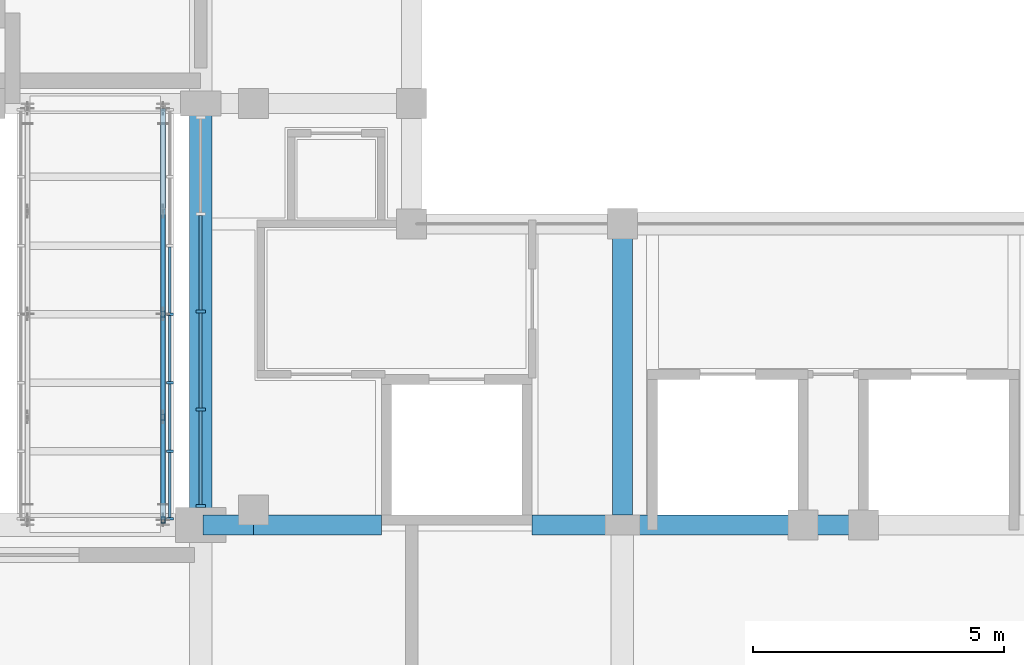
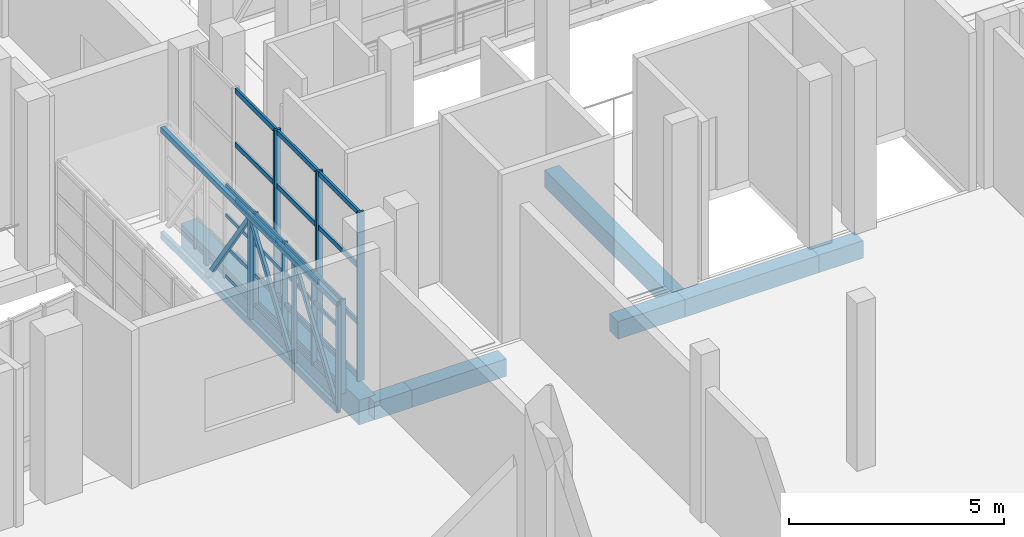
# One storey, part 8 of 86: 43 members, 7 beams, 2 elements without a shape of their own.
"""IFC4 building model written with IfcOpenShell, lengths in metres."""

from ifc_helpers import new_model, si_unit, direction, frame, origin, origin_2d, place, context, subcontext, project, spatial, rectangle, hollow_rectangle, extrude, material, layer, layer_set, material_profile, profile_set, type_object, element, aggregate, save


model = new_model("IFC4")

# Units and contexts
model_context = context("Model", 3, precision=1e-05, world=origin(), true_north=direction((0.0, 1.0)))
body_context = subcontext(model_context, "Body", "Model", "MODEL_VIEW")
ifc_project = project(units=[si_unit("LENGTHUNIT", "METRE"), si_unit("AREAUNIT", "SQUARE_METRE"), si_unit("VOLUMEUNIT", "CUBIC_METRE"), si_unit("PLANEANGLEUNIT", "RADIAN"), si_unit("MASSUNIT", "GRAM", prefix="KILO")], contexts=[model_context])

# Site, building, storey
site_placement = place(None, origin())
site = spatial("IfcSite", under=ifc_project, at=site_placement, CompositionType="ELEMENT")
building_placement = place(site_placement, origin())
building = spatial("IfcBuilding", under=site, at=building_placement, Name="Kiln Court Media Centre", CompositionType="ELEMENT")
storey_placement = place(building_placement, frame((0.0, 0.0, 10.199951171875)))
storey = spatial("IfcBuildingStorey", under=building, at=storey_placement, Name="L02", CompositionType="ELEMENT", Elevation=10.199951171875)

# Curtain wall, members
ifc_material_1 = material(Name="Aluminium 6063-T6", Category="aluminium")
ifc_layer_1 = layer(ifc_material_1, 0.1201171875)
ifc_layer_set_1 = layer_set([ifc_layer_1], Name="Aluminium unitised curtain wall, bridge")
curtain_wall_type_1 = type_object("IfcCurtainWallType", Name="Aluminium unitised curtain wall, bridge", PredefinedType="USERDEFINED", material=ifc_layer_set_1)
curtain_wall_1_placement = place(storey_placement, origin())
curtain_wall_1 = element("IfcCurtainWall", 1, at=curtain_wall_1_placement, inside=storey, type_object=curtain_wall_type_1, Name="BR-1 side glazing", ObjectType="UNITISED CURTAIN WALL", PredefinedType="USERDEFINED")
ifc_material_2 = material(Name="Aluminium 6063-T6", Category="aluminium")
ifc_material_profile_1 = material_profile(ifc_material_2, rectangle(XDim=0.050048828125, YDim=0.139892578125, at=origin_2d()), Name="Aluminium hall mullion 50x140")
ifc_profile_set_1 = profile_set([ifc_material_profile_1], Name="Aluminium 6063-T6")
member_type_1 = type_object("IfcMemberType", Name="Aluminium hall mullion 50x140", PredefinedType="MULLION", material=ifc_profile_set_1)
member_1_placement = place(storey_placement, frame((32.985107421875, 25.324951171875, 0.0), z_axis=(0.0, 0.0, 1.0), x_axis=(0.0, 1.0, 0.0)))
member_1 = element("IfcMember", 2, at=member_1_placement, type_object=member_type_1, Name="CW2-64 mullion 1", PredefinedType="MULLION", context=body_context, shape_type="SweptSolid", body=[
    extrude(rectangle(XDim=0.050048828125, YDim=0.139892578125, at=origin_2d()), origin(), (0.0, 0.0, 1.0), 2.675048828125),
])
member_2_placement = place(storey_placement, frame((32.985107421875, 26.666748046875, 0.0), z_axis=(0.0, 0.0, 1.0), x_axis=(0.0, 1.0, 0.0)))
member_2 = element("IfcMember", 3, at=member_2_placement, type_object=member_type_1, Name="CW2-64 mullion 2", PredefinedType="MULLION", context=body_context, shape_type="SweptSolid", body=[
    extrude(rectangle(XDim=0.050048828125, YDim=0.139892578125, at=origin_2d()), origin(), (0.0, 0.0, 1.0), 2.675048828125),
])
member_3_placement = place(storey_placement, frame((32.985107421875, 28.033447265625, 0.0), z_axis=(0.0, 0.0, 1.0), x_axis=(0.0, 1.0, 0.0)))
member_3 = element("IfcMember", 4, at=member_3_placement, type_object=member_type_1, Name="CW2-64 mullion 3", PredefinedType="MULLION", context=body_context, shape_type="SweptSolid", body=[
    extrude(rectangle(XDim=0.050048828125, YDim=0.139892578125, at=origin_2d()), origin(), (0.0, 0.0, 1.0), 2.675048828125),
])
member_4_placement = place(storey_placement, frame((32.985107421875, 29.39990234375, 0.0), z_axis=(0.0, 0.0, 1.0), x_axis=(0.0, 1.0, 0.0)))
member_4 = element("IfcMember", 5, at=member_4_placement, type_object=member_type_1, Name="CW2-64 mullion 4", PredefinedType="MULLION", context=body_context, shape_type="SweptSolid", body=[
    extrude(rectangle(XDim=0.050048828125, YDim=0.139892578125, at=origin_2d()), origin(), (0.0, 0.0, 1.0), 2.675048828125),
])

ifc_material_3 = material(Name="Aluminium 6063-T6", Category="aluminium")
ifc_layer_2 = layer(ifc_material_3, 0.1201171875)
ifc_layer_set_2 = layer_set([ifc_layer_2], Name="Aluminium stick curtain wall, gallery")
curtain_wall_type_2 = type_object("IfcCurtainWallType", Name="Aluminium stick curtain wall, gallery", PredefinedType="USERDEFINED", material=ifc_layer_set_2)
curtain_wall_2_placement = place(storey_placement, origin())
curtain_wall_2 = element("IfcCurtainWall", 6, at=curtain_wall_2_placement, inside=storey, type_object=curtain_wall_type_2, Name="Foyer west glazing L02", ObjectType="STICK CURTAIN WALL", PredefinedType="USERDEFINED")
ifc_material_4 = material(Name="Aluminium 6063-T6", Category="aluminium")
ifc_material_profile_2 = material_profile(ifc_material_4, rectangle(XDim=0.06005859375, YDim=0.179931640625, at=origin_2d()), Name="Aluminium hall mullion 60x180")
ifc_profile_set_2 = profile_set([ifc_material_profile_2], Name="Aluminium 6063-T6")
member_type_2 = type_object("IfcMemberType", Name="Aluminium hall mullion 60x180", PredefinedType="MULLION", material=ifc_profile_set_2)
member_5_placement = place(storey_placement, frame((33.60009765625, 25.580078125, 0.0), z_axis=(0.0, 0.0, 1.0), x_axis=(0.0, 1.0, 0.0)))
member_5 = element("IfcMember", 7, at=member_5_placement, type_object=member_type_2, Name="CW2-62 mullion 1", PredefinedType="MULLION", context=body_context, shape_type="SweptSolid", body=[
    extrude(rectangle(XDim=0.06005859375, YDim=0.179931640625, at=origin_2d()), origin(), (0.0, 0.0, 1.0), 4.800048828125),
])
member_6_placement = place(storey_placement, frame((33.60009765625, 27.5, 0.0), z_axis=(0.0, 0.0, 1.0), x_axis=(0.0, 1.0, 0.0)))
member_6 = element("IfcMember", 8, at=member_6_placement, type_object=member_type_2, Name="CW2-62 mullion 2", PredefinedType="MULLION", context=body_context, shape_type="SweptSolid", body=[
    extrude(rectangle(XDim=0.06005859375, YDim=0.179931640625, at=origin_2d()), origin(), (0.0, 0.0, 1.0), 4.800048828125),
])
member_7_placement = place(storey_placement, frame((33.60009765625, 29.449951171875, 0.0), z_axis=(0.0, 0.0, 1.0), x_axis=(0.0, 1.0, 0.0)))
member_7 = element("IfcMember", 9, at=member_7_placement, type_object=member_type_2, Name="CW2-62 mullion 3", PredefinedType="MULLION", context=body_context, shape_type="SweptSolid", body=[
    extrude(rectangle(XDim=0.06005859375, YDim=0.179931640625, at=origin_2d()), origin(), (0.0, 0.0, 1.0), 4.800048828125),
])

# Member
ifc_material_5 = material(Name="Aluminium 6063-T6", Category="aluminium")
ifc_material_profile_3 = material_profile(ifc_material_5, rectangle(XDim=0.050048828125, YDim=0.10009765625, at=origin_2d()), Name="Aluminium hall transom 50x100")
ifc_profile_set_3 = profile_set([ifc_material_profile_3], Name="Aluminium 6063-T6")
member_type_3 = type_object("IfcMemberType", Name="Aluminium hall transom 50x100", PredefinedType="USERDEFINED", material=ifc_profile_set_3)
member_8_placement = place(storey_placement, frame((32.985107421875, 25.35009765625, 0.050048828125), z_axis=(0.0, 1.0, 0.0), x_axis=(-1.0, 0.0, 0.0)))
member_8 = element("IfcMember", 10, at=member_8_placement, type_object=member_type_3, Name="CW2-64 transom 1.1", ObjectType="TRANSOM", PredefinedType="USERDEFINED", context=body_context, shape_type="SweptSolid", body=[
    extrude(rectangle(XDim=0.050048828125, YDim=0.10009765625, at=origin_2d()), origin(), (0.0, 0.0, 1.0), 1.29150390625),
])

member_9_placement = place(storey_placement, frame((32.985107421875, 25.35009765625, 0.891845703125), z_axis=(0.0, 1.0, 0.0), x_axis=(-1.0, 0.0, 0.0)))
member_9 = element("IfcMember", 11, at=member_9_placement, type_object=member_type_3, Name="CW2-64 transom 1.2", ObjectType="TRANSOM", PredefinedType="USERDEFINED", context=body_context, shape_type="SweptSolid", body=[
    extrude(rectangle(XDim=0.050048828125, YDim=0.10009765625, at=origin_2d()), origin(), (0.0, 0.0, 1.0), 1.29150390625),
])

member_10_placement = place(storey_placement, frame((32.985107421875, 25.35009765625, 1.783447265625), z_axis=(0.0, 1.0, 0.0), x_axis=(-1.0, 0.0, 0.0)))
member_10 = element("IfcMember", 12, at=member_10_placement, type_object=member_type_3, Name="CW2-64 transom 1.3", ObjectType="TRANSOM", PredefinedType="USERDEFINED", context=body_context, shape_type="SweptSolid", body=[
    extrude(rectangle(XDim=0.050048828125, YDim=0.10009765625, at=origin_2d()), origin(), (0.0, 0.0, 1.0), 1.29150390625),
])

member_11_placement = place(storey_placement, frame((32.985107421875, 25.35009765625, 2.625), z_axis=(0.0, 1.0, 0.0), x_axis=(-1.0, 0.0, 0.0)))
member_11 = element("IfcMember", 13, at=member_11_placement, type_object=member_type_3, Name="CW2-64 transom 1.4", ObjectType="TRANSOM", PredefinedType="USERDEFINED", context=body_context, shape_type="SweptSolid", body=[
    extrude(rectangle(XDim=0.050048828125, YDim=0.10009765625, at=origin_2d()), origin(), (0.0, 0.0, 1.0), 1.29150390625),
])

member_12_placement = place(storey_placement, frame((32.985107421875, 26.691650390625, 0.050048828125), z_axis=(0.0, 1.0, 0.0), x_axis=(-1.0, 0.0, 0.0)))
member_12 = element("IfcMember", 14, at=member_12_placement, type_object=member_type_3, Name="CW2-64 transom 2.1", ObjectType="TRANSOM", PredefinedType="USERDEFINED", context=body_context, shape_type="SweptSolid", body=[
    extrude(rectangle(XDim=0.050048828125, YDim=0.10009765625, at=origin_2d()), origin(), (0.0, 0.0, 1.0), 1.316650390625),
])

member_13_placement = place(storey_placement, frame((32.985107421875, 26.691650390625, 0.891845703125), z_axis=(0.0, 1.0, 0.0), x_axis=(-1.0, 0.0, 0.0)))
member_13 = element("IfcMember", 15, at=member_13_placement, type_object=member_type_3, Name="CW2-64 transom 2.2", ObjectType="TRANSOM", PredefinedType="USERDEFINED", context=body_context, shape_type="SweptSolid", body=[
    extrude(rectangle(XDim=0.050048828125, YDim=0.10009765625, at=origin_2d()), origin(), (0.0, 0.0, 1.0), 1.316650390625),
])

member_14_placement = place(storey_placement, frame((32.985107421875, 26.691650390625, 1.783447265625), z_axis=(0.0, 1.0, 0.0), x_axis=(-1.0, 0.0, 0.0)))
member_14 = element("IfcMember", 16, at=member_14_placement, type_object=member_type_3, Name="CW2-64 transom 2.3", ObjectType="TRANSOM", PredefinedType="USERDEFINED", context=body_context, shape_type="SweptSolid", body=[
    extrude(rectangle(XDim=0.050048828125, YDim=0.10009765625, at=origin_2d()), origin(), (0.0, 0.0, 1.0), 1.316650390625),
])

member_15_placement = place(storey_placement, frame((32.985107421875, 26.691650390625, 2.625), z_axis=(0.0, 1.0, 0.0), x_axis=(-1.0, 0.0, 0.0)))
member_15 = element("IfcMember", 17, at=member_15_placement, type_object=member_type_3, Name="CW2-64 transom 2.4", ObjectType="TRANSOM", PredefinedType="USERDEFINED", context=body_context, shape_type="SweptSolid", body=[
    extrude(rectangle(XDim=0.050048828125, YDim=0.10009765625, at=origin_2d()), origin(), (0.0, 0.0, 1.0), 1.316650390625),
])

member_16_placement = place(storey_placement, frame((32.985107421875, 28.058349609375, 0.050048828125), z_axis=(0.0, 1.0, 0.0), x_axis=(-1.0, 0.0, 0.0)))
member_16 = element("IfcMember", 18, at=member_16_placement, type_object=member_type_3, Name="CW2-64 transom 3.1", ObjectType="TRANSOM", PredefinedType="USERDEFINED", context=body_context, shape_type="SweptSolid", body=[
    extrude(rectangle(XDim=0.050048828125, YDim=0.10009765625, at=origin_2d()), origin(), (0.0, 0.0, 1.0), 1.316650390625),
])

member_17_placement = place(storey_placement, frame((32.985107421875, 28.058349609375, 0.891845703125), z_axis=(0.0, 1.0, 0.0), x_axis=(-1.0, 0.0, 0.0)))
member_17 = element("IfcMember", 19, at=member_17_placement, type_object=member_type_3, Name="CW2-64 transom 3.2", ObjectType="TRANSOM", PredefinedType="USERDEFINED", context=body_context, shape_type="SweptSolid", body=[
    extrude(rectangle(XDim=0.050048828125, YDim=0.10009765625, at=origin_2d()), origin(), (0.0, 0.0, 1.0), 1.316650390625),
])

member_18_placement = place(storey_placement, frame((32.985107421875, 28.058349609375, 1.783447265625), z_axis=(0.0, 1.0, 0.0), x_axis=(-1.0, 0.0, 0.0)))
member_18 = element("IfcMember", 20, at=member_18_placement, type_object=member_type_3, Name="CW2-64 transom 3.3", ObjectType="TRANSOM", PredefinedType="USERDEFINED", context=body_context, shape_type="SweptSolid", body=[
    extrude(rectangle(XDim=0.050048828125, YDim=0.10009765625, at=origin_2d()), origin(), (0.0, 0.0, 1.0), 1.316650390625),
])

member_19_placement = place(storey_placement, frame((32.985107421875, 28.058349609375, 2.625), z_axis=(0.0, 1.0, 0.0), x_axis=(-1.0, 0.0, 0.0)))
member_19 = element("IfcMember", 21, at=member_19_placement, type_object=member_type_3, Name="CW2-64 transom 3.4", ObjectType="TRANSOM", PredefinedType="USERDEFINED", context=body_context, shape_type="SweptSolid", body=[
    extrude(rectangle(XDim=0.050048828125, YDim=0.10009765625, at=origin_2d()), origin(), (0.0, 0.0, 1.0), 1.316650390625),
])

member_20_placement = place(storey_placement, frame((32.985107421875, 29.425048828125, 0.050048828125), z_axis=(0.0, 1.0, 0.0), x_axis=(-1.0, 0.0, 0.0)))
member_20 = element("IfcMember", 22, at=member_20_placement, type_object=member_type_3, Name="CW2-64 transom 4.1", ObjectType="TRANSOM", PredefinedType="USERDEFINED", context=body_context, shape_type="SweptSolid", body=[
    extrude(rectangle(XDim=0.050048828125, YDim=0.10009765625, at=origin_2d()), origin(), (0.0, 0.0, 1.0), 1.316650390625),
])

member_21_placement = place(storey_placement, frame((32.985107421875, 29.425048828125, 0.891845703125), z_axis=(0.0, 1.0, 0.0), x_axis=(-1.0, 0.0, 0.0)))
member_21 = element("IfcMember", 23, at=member_21_placement, type_object=member_type_3, Name="CW2-64 transom 4.2", ObjectType="TRANSOM", PredefinedType="USERDEFINED", context=body_context, shape_type="SweptSolid", body=[
    extrude(rectangle(XDim=0.050048828125, YDim=0.10009765625, at=origin_2d()), origin(), (0.0, 0.0, 1.0), 1.316650390625),
])

member_22_placement = place(storey_placement, frame((32.985107421875, 29.425048828125, 1.783447265625), z_axis=(0.0, 1.0, 0.0), x_axis=(-1.0, 0.0, 0.0)))
member_22 = element("IfcMember", 24, at=member_22_placement, type_object=member_type_3, Name="CW2-64 transom 4.3", ObjectType="TRANSOM", PredefinedType="USERDEFINED", context=body_context, shape_type="SweptSolid", body=[
    extrude(rectangle(XDim=0.050048828125, YDim=0.10009765625, at=origin_2d()), origin(), (0.0, 0.0, 1.0), 1.316650390625),
])

member_23_placement = place(storey_placement, frame((32.985107421875, 29.425048828125, 2.625), z_axis=(0.0, 1.0, 0.0), x_axis=(-1.0, 0.0, 0.0)))
member_23 = element("IfcMember", 25, at=member_23_placement, type_object=member_type_3, Name="CW2-64 transom 4.4", ObjectType="TRANSOM", PredefinedType="USERDEFINED", context=body_context, shape_type="SweptSolid", body=[
    extrude(rectangle(XDim=0.050048828125, YDim=0.10009765625, at=origin_2d()), origin(), (0.0, 0.0, 1.0), 1.316650390625),
])

aggregate(curtain_wall_1, [member_1, member_2, member_3, member_4, member_8, member_9, member_10, member_11, member_12, member_13, member_14, member_15, member_16, member_17, member_18, member_19, member_20, member_21, member_22, member_23])

ifc_material_6 = material(Name="Aluminium 6063-T6", Category="aluminium")
ifc_material_profile_4 = material_profile(ifc_material_6, rectangle(XDim=0.06005859375, YDim=0.139892578125, at=origin_2d()), Name="Aluminium hall transom 60x140")
ifc_profile_set_4 = profile_set([ifc_material_profile_4], Name="Aluminium 6063-T6")
member_type_4 = type_object("IfcMemberType", Name="Aluminium hall transom 60x140", PredefinedType="USERDEFINED", material=ifc_profile_set_4)
member_24_placement = place(storey_placement, frame((33.60009765625, 25.610107421875, 0.070068359375), z_axis=(0.0, 1.0, 0.0), x_axis=(-1.0, 0.0, 0.0)))
member_24 = element("IfcMember", 26, at=member_24_placement, type_object=member_type_4, Name="CW2-62 transom 1.1", ObjectType="TRANSOM", PredefinedType="USERDEFINED", context=body_context, shape_type="SweptSolid", body=[
    extrude(rectangle(XDim=0.06005859375, YDim=0.139892578125, at=origin_2d()), origin(), (0.0, 0.0, 1.0), 1.85986328125),
])

member_25_placement = place(storey_placement, frame((33.60009765625, 25.610107421875, 1.60009765625), z_axis=(0.0, 1.0, 0.0), x_axis=(-1.0, 0.0, 0.0)))
member_25 = element("IfcMember", 27, at=member_25_placement, type_object=member_type_4, Name="CW2-62 transom 1.2", ObjectType="TRANSOM", PredefinedType="USERDEFINED", context=body_context, shape_type="SweptSolid", body=[
    extrude(rectangle(XDim=0.06005859375, YDim=0.139892578125, at=origin_2d()), origin(), (0.0, 0.0, 1.0), 1.85986328125),
])

member_26_placement = place(storey_placement, frame((33.60009765625, 25.610107421875, 3.199951171875), z_axis=(0.0, 1.0, 0.0), x_axis=(-1.0, 0.0, 0.0)))
member_26 = element("IfcMember", 28, at=member_26_placement, type_object=member_type_4, Name="CW2-62 transom 1.3", ObjectType="TRANSOM", PredefinedType="USERDEFINED", context=body_context, shape_type="SweptSolid", body=[
    extrude(rectangle(XDim=0.06005859375, YDim=0.139892578125, at=origin_2d()), origin(), (0.0, 0.0, 1.0), 1.85986328125),
])

member_27_placement = place(storey_placement, frame((33.60009765625, 25.610107421875, 4.72998046875), z_axis=(0.0, 1.0, 0.0), x_axis=(-1.0, 0.0, 0.0)))
member_27 = element("IfcMember", 29, at=member_27_placement, type_object=member_type_4, Name="CW2-62 transom 1.4", ObjectType="TRANSOM", PredefinedType="USERDEFINED", context=body_context, shape_type="SweptSolid", body=[
    extrude(rectangle(XDim=0.06005859375, YDim=0.139892578125, at=origin_2d()), origin(), (0.0, 0.0, 1.0), 1.85986328125),
])

member_28_placement = place(storey_placement, frame((33.60009765625, 27.530029296875, 0.070068359375), z_axis=(0.0, 1.0, 0.0), x_axis=(-1.0, 0.0, 0.0)))
member_28 = element("IfcMember", 30, at=member_28_placement, type_object=member_type_4, Name="CW2-62 transom 2.1", ObjectType="TRANSOM", PredefinedType="USERDEFINED", context=body_context, shape_type="SweptSolid", body=[
    extrude(rectangle(XDim=0.06005859375, YDim=0.139892578125, at=origin_2d()), origin(), (0.0, 0.0, 1.0), 1.889892578125),
])

member_29_placement = place(storey_placement, frame((33.60009765625, 27.530029296875, 1.60009765625), z_axis=(0.0, 1.0, 0.0), x_axis=(-1.0, 0.0, 0.0)))
member_29 = element("IfcMember", 31, at=member_29_placement, type_object=member_type_4, Name="CW2-62 transom 2.2", ObjectType="TRANSOM", PredefinedType="USERDEFINED", context=body_context, shape_type="SweptSolid", body=[
    extrude(rectangle(XDim=0.06005859375, YDim=0.139892578125, at=origin_2d()), origin(), (0.0, 0.0, 1.0), 1.889892578125),
])

member_30_placement = place(storey_placement, frame((33.60009765625, 27.530029296875, 3.199951171875), z_axis=(0.0, 1.0, 0.0), x_axis=(-1.0, 0.0, 0.0)))
member_30 = element("IfcMember", 32, at=member_30_placement, type_object=member_type_4, Name="CW2-62 transom 2.3", ObjectType="TRANSOM", PredefinedType="USERDEFINED", context=body_context, shape_type="SweptSolid", body=[
    extrude(rectangle(XDim=0.06005859375, YDim=0.139892578125, at=origin_2d()), origin(), (0.0, 0.0, 1.0), 1.889892578125),
])

member_31_placement = place(storey_placement, frame((33.60009765625, 27.530029296875, 4.72998046875), z_axis=(0.0, 1.0, 0.0), x_axis=(-1.0, 0.0, 0.0)))
member_31 = element("IfcMember", 33, at=member_31_placement, type_object=member_type_4, Name="CW2-62 transom 2.4", ObjectType="TRANSOM", PredefinedType="USERDEFINED", context=body_context, shape_type="SweptSolid", body=[
    extrude(rectangle(XDim=0.06005859375, YDim=0.139892578125, at=origin_2d()), origin(), (0.0, 0.0, 1.0), 1.889892578125),
])

member_32_placement = place(storey_placement, frame((33.60009765625, 29.47998046875, 0.070068359375), z_axis=(0.0, 1.0, 0.0), x_axis=(-1.0, 0.0, 0.0)))
member_32 = element("IfcMember", 34, at=member_32_placement, type_object=member_type_4, Name="CW2-62 transom 3.1", ObjectType="TRANSOM", PredefinedType="USERDEFINED", context=body_context, shape_type="SweptSolid", body=[
    extrude(rectangle(XDim=0.06005859375, YDim=0.139892578125, at=origin_2d()), origin(), (0.0, 0.0, 1.0), 1.89013671875),
])

member_33_placement = place(storey_placement, frame((33.60009765625, 29.47998046875, 1.60009765625), z_axis=(0.0, 1.0, 0.0), x_axis=(-1.0, 0.0, 0.0)))
member_33 = element("IfcMember", 35, at=member_33_placement, type_object=member_type_4, Name="CW2-62 transom 3.2", ObjectType="TRANSOM", PredefinedType="USERDEFINED", context=body_context, shape_type="SweptSolid", body=[
    extrude(rectangle(XDim=0.06005859375, YDim=0.139892578125, at=origin_2d()), origin(), (0.0, 0.0, 1.0), 1.89013671875),
])

member_34_placement = place(storey_placement, frame((33.60009765625, 29.47998046875, 3.199951171875), z_axis=(0.0, 1.0, 0.0), x_axis=(-1.0, 0.0, 0.0)))
member_34 = element("IfcMember", 36, at=member_34_placement, type_object=member_type_4, Name="CW2-62 transom 3.3", ObjectType="TRANSOM", PredefinedType="USERDEFINED", context=body_context, shape_type="SweptSolid", body=[
    extrude(rectangle(XDim=0.06005859375, YDim=0.139892578125, at=origin_2d()), origin(), (0.0, 0.0, 1.0), 1.89013671875),
])

member_35_placement = place(storey_placement, frame((33.60009765625, 29.47998046875, 4.72998046875), z_axis=(0.0, 1.0, 0.0), x_axis=(-1.0, 0.0, 0.0)))
member_35 = element("IfcMember", 37, at=member_35_placement, type_object=member_type_4, Name="CW2-62 transom 3.4", ObjectType="TRANSOM", PredefinedType="USERDEFINED", context=body_context, shape_type="SweptSolid", body=[
    extrude(rectangle(XDim=0.06005859375, YDim=0.139892578125, at=origin_2d()), origin(), (0.0, 0.0, 1.0), 1.89013671875),
])

aggregate(curtain_wall_2, [member_5, member_6, member_7, member_24, member_25, member_26, member_27, member_28, member_29, member_30, member_31, member_32, member_33, member_34, member_35])

# Beams
ifc_material_7 = material(Name="Concrete C30/37", Category="concrete")
ifc_material_profile_5 = material_profile(ifc_material_7, rectangle(XDim=0.39990234375, YDim=0.5, at=origin_2d()), Name="RC 400x500")
ifc_profile_set_5 = profile_set([ifc_material_profile_5], Name="Concrete C30/37")
beam_type_1 = type_object("IfcBeamType", Name="Concrete C30/37 beam 400x500", PredefinedType="BEAM", material=ifc_profile_set_5)
beam_1_placement = place(storey_placement, frame((33.64990234375, 25.199951171875, -0.550048828125), z_axis=(1.0, 0.0, 0.0), x_axis=(0.0, 1.0, 0.0)))
element("IfcBeam", 38, at=beam_1_placement, inside=storey, type_object=beam_type_1, Name="L02-B-1047", PredefinedType="BEAM", context=body_context, shape_type="SweptSolid", body=[
    extrude(rectangle(XDim=0.39990234375, YDim=0.5, at=origin_2d()), origin(), (0.0, 0.0, 1.0), 1.0),
])
beam_2_placement = place(storey_placement, frame((34.64990234375, 25.199951171875, -0.550048828125), z_axis=(1.0, 0.0, 0.0), x_axis=(0.0, 1.0, 0.0)))
element("IfcBeam", 39, at=beam_2_placement, inside=storey, type_object=beam_type_1, Name="L02-B-1048", PredefinedType="BEAM", context=body_context, shape_type="SweptSolid", body=[
    extrude(rectangle(XDim=0.39990234375, YDim=0.5, at=origin_2d()), origin(), (0.0, 0.0, 1.0), 2.550048828125),
])
beam_3_placement = place(storey_placement, frame((40.199951171875, 25.199951171875, -0.550048828125), z_axis=(1.0, 0.0, 0.0), x_axis=(0.0, 1.0, 0.0)))
element("IfcBeam", 40, at=beam_3_placement, inside=storey, type_object=beam_type_1, Name="L02-B-1049", PredefinedType="BEAM", context=body_context, shape_type="SweptSolid", body=[
    extrude(rectangle(XDim=0.39990234375, YDim=0.5, at=origin_2d()), origin(), (0.0, 0.0, 1.0), 1.800048828125),
])
beam_4_placement = place(storey_placement, frame((42.0, 25.199951171875, -0.550048828125), z_axis=(1.0, 0.0, 0.0), x_axis=(0.0, 1.0, 0.0)))
element("IfcBeam", 41, at=beam_4_placement, inside=storey, type_object=beam_type_1, Name="L02-B-1050", PredefinedType="BEAM", context=body_context, shape_type="SweptSolid", body=[
    extrude(rectangle(XDim=0.39990234375, YDim=0.5, at=origin_2d()), origin(), (0.0, 0.0, 1.0), 3.59912109375),
])
beam_5_placement = place(storey_placement, frame((45.59912109375, 25.199951171875, -0.550048828125), z_axis=(1.0, 0.0, 0.0), x_axis=(0.0, 1.0, 0.0)))
element("IfcBeam", 42, at=beam_5_placement, inside=storey, type_object=beam_type_1, Name="L02-B-1051", PredefinedType="BEAM", context=body_context, shape_type="SweptSolid", body=[
    extrude(rectangle(XDim=0.39990234375, YDim=0.5, at=origin_2d()), origin(), (0.0, 0.0, 1.0), 1.201904296875),
])
beam_6_placement = place(storey_placement, frame((42.0, 25.25, -0.550048828125), z_axis=(0.0, 1.0, 0.0), x_axis=(-1.0, 0.0, 0.0)))
element("IfcBeam", 43, at=beam_6_placement, inside=storey, type_object=beam_type_1, Name="L02-B-1079", PredefinedType="BEAM", context=body_context, shape_type="SweptSolid", body=[
    extrude(rectangle(XDim=0.39990234375, YDim=0.5, at=origin_2d()), origin(), (0.0, 0.0, 1.0), 5.950927734375),
])
ifc_material_8 = material(Name="Concrete C30/37", Category="concrete")
ifc_material_profile_6 = material_profile(ifc_material_8, rectangle(XDim=0.449951171875, YDim=0.699951171875, at=origin_2d()), Name="RC 450x700")
ifc_profile_set_6 = profile_set([ifc_material_profile_6], Name="Concrete C30/37")
beam_type_2 = type_object("IfcBeamType", Name="Concrete C30/37 beam 450x700", PredefinedType="BEAM", material=ifc_profile_set_6)
beam_7_placement = place(storey_placement, frame((33.60009765625, 25.25, -0.64990234375), z_axis=(0.0, 1.0, 0.0), x_axis=(-1.0, 0.0, 0.0)))
element("IfcBeam", 44, at=beam_7_placement, inside=storey, type_object=beam_type_2, Name="L02-B-1078", PredefinedType="BEAM", context=body_context, shape_type="SweptSolid", body=[
    extrude(rectangle(XDim=0.449951171875, YDim=0.699951171875, at=origin_2d()), origin(), (0.0, 0.0, 1.0), 8.300048828125),
])

# Members
ifc_material_9 = material(Name="Steel ASTM A500 Gr C", Category="steel")
ifc_material_profile_7 = material_profile(ifc_material_9, hollow_rectangle(XDim=0.080078125, YDim=0.1201171875, WallThickness=0.00634765625, at=origin_2d()), Name="RHS 120x80x6.3")
ifc_profile_set_7 = profile_set([ifc_material_profile_7], Name="Steel ASTM A500 Gr C")
member_type_5 = type_object("IfcMemberType", Name="Steel ASTM A500 Gr C RHS 120x80x6.3 bridge truss web", PredefinedType="BRACE", material=ifc_profile_set_7)
for number, where, z_axis, x_axis, name in (
    (45, (32.85009765625, 25.300048828125, -0.39990234375), (0.0, 0.0, 1.0), (1.0, 0.0, 0.0), "bridge BR-1 side truss 2 post 1 bridge truss web"),
    (46, (32.85009765625, 27.35009765625, -0.39990234375), (0.0, 0.0, 1.0), (1.0, 0.0, 0.0), "bridge BR-1 side truss 2 post 2 bridge truss web"),
    (47, (32.85009765625, 29.39990234375, -0.39990234375), (0.0, 0.0, 1.0), (1.0, 0.0, 0.0), "bridge BR-1 side truss 2 post 3 bridge truss web"),
):
    element("IfcMember", number, at=place(storey_placement, frame(where, z_axis=z_axis, x_axis=x_axis)), inside=storey, type_object=member_type_5, Name=name, PredefinedType="BRACE", context=body_context, shape_type="SweptSolid", body=[
        extrude(hollow_rectangle(XDim=0.080078125, YDim=0.1201171875, WallThickness=0.00634765625, at=origin_2d()), origin(), (0.0, 0.0, 1.0), 3.0),
    ])
member_36_placement = place(storey_placement, frame((32.85009765625, 25.300048828125, -0.39990234375), z_axis=(0.0, 0.564199665614, 0.825638381691), x_axis=(-1.0, 0.0, 0.0)))
element("IfcMember", 48, at=member_36_placement, inside=storey, type_object=member_type_5, Name="bridge BR-1 side truss 2 diagonal 1 bridge truss web", PredefinedType="BRACE", context=body_context, shape_type="SweptSolid", body=[
    extrude(hollow_rectangle(XDim=0.080078125, YDim=0.1201171875, WallThickness=0.00634765625, at=origin_2d()), origin(), (0.0, 0.0, 1.0), 3.633544921875),
])
member_37_placement = place(storey_placement, frame((32.85009765625, 27.35009765625, -0.39990234375), z_axis=(0.0, 0.56415386059, 0.825669680672), x_axis=(-1.0, 0.0, 0.0)))
element("IfcMember", 49, at=member_37_placement, inside=storey, type_object=member_type_5, Name="bridge BR-1 side truss 2 diagonal 2 bridge truss web", PredefinedType="BRACE", context=body_context, shape_type="SweptSolid", body=[
    extrude(hollow_rectangle(XDim=0.080078125, YDim=0.1201171875, WallThickness=0.00634765625, at=origin_2d()), origin(), (0.0, 0.0, 1.0), 3.63330078125),
])
member_38_placement = place(storey_placement, frame((32.85009765625, 29.39990234375, 2.60009765625), z_axis=(0.0, 0.564199665614, -0.825638381691), x_axis=(-1.0, 0.0, 0.0)))
element("IfcMember", 50, at=member_38_placement, inside=storey, type_object=member_type_5, Name="bridge BR-1 side truss 2 diagonal 3 bridge truss web", PredefinedType="BRACE", context=body_context, shape_type="SweptSolid", body=[
    extrude(hollow_rectangle(XDim=0.080078125, YDim=0.1201171875, WallThickness=0.00634765625, at=origin_2d()), origin(), (0.0, 0.0, 1.0), 3.633544921875),
])
ifc_material_10 = material(Name="Steel ASTM A500 Gr C", Category="steel")
ifc_material_profile_8 = material_profile(ifc_material_10, hollow_rectangle(XDim=0.10009765625, YDim=0.14990234375, WallThickness=0.008056640625, at=origin_2d()), Name="RHS 150x100x8.0")
ifc_profile_set_8 = profile_set([ifc_material_profile_8], Name="Steel ASTM A500 Gr C")
member_type_6 = type_object("IfcMemberType", Name="Steel ASTM A500 Gr C RHS 150x100x8.0 bridge truss chord", PredefinedType="CHORD", material=ifc_profile_set_8)
member_39_placement = place(storey_placement, frame((32.85009765625, 25.300048828125, 2.60009765625), z_axis=(0.0, 1.0, 0.0), x_axis=(-1.0, 0.0, 0.0)))
element("IfcMember", 51, at=member_39_placement, inside=storey, type_object=member_type_6, Name="bridge BR-1 side truss 2 top chord bridge truss chord", PredefinedType="CHORD", context=body_context, shape_type="SweptSolid", body=[
    extrude(hollow_rectangle(XDim=0.10009765625, YDim=0.14990234375, WallThickness=0.008056640625, at=origin_2d()), origin(), (0.0, 0.0, 1.0), 8.199951171875),
])
ifc_material_11 = material(Name="Steel ASTM A500 Gr C", Category="steel")
ifc_material_profile_9 = material_profile(ifc_material_11, hollow_rectangle(XDim=0.10009765625, YDim=0.199951171875, WallThickness=0.008056640625, at=origin_2d()), Name="RHS 200x100x8.0")
ifc_profile_set_9 = profile_set([ifc_material_profile_9], Name="Steel ASTM A500 Gr C")
member_type_7 = type_object("IfcMemberType", Name="Steel ASTM A500 Gr C RHS 200x100x8.0 bridge truss chord", PredefinedType="CHORD", material=ifc_profile_set_9)
member_40_placement = place(storey_placement, frame((32.85009765625, 25.300048828125, -0.39990234375), z_axis=(0.0, 1.0, 0.0), x_axis=(-1.0, 0.0, 0.0)))
element("IfcMember", 52, at=member_40_placement, inside=storey, type_object=member_type_7, Name="bridge BR-1 side truss 2 bottom chord bridge truss chord", PredefinedType="CHORD", context=body_context, shape_type="SweptSolid", body=[
    extrude(hollow_rectangle(XDim=0.10009765625, YDim=0.199951171875, WallThickness=0.008056640625, at=origin_2d()), origin(), (0.0, 0.0, 1.0), 8.199951171875),
])

save(model, "model.ifc")
